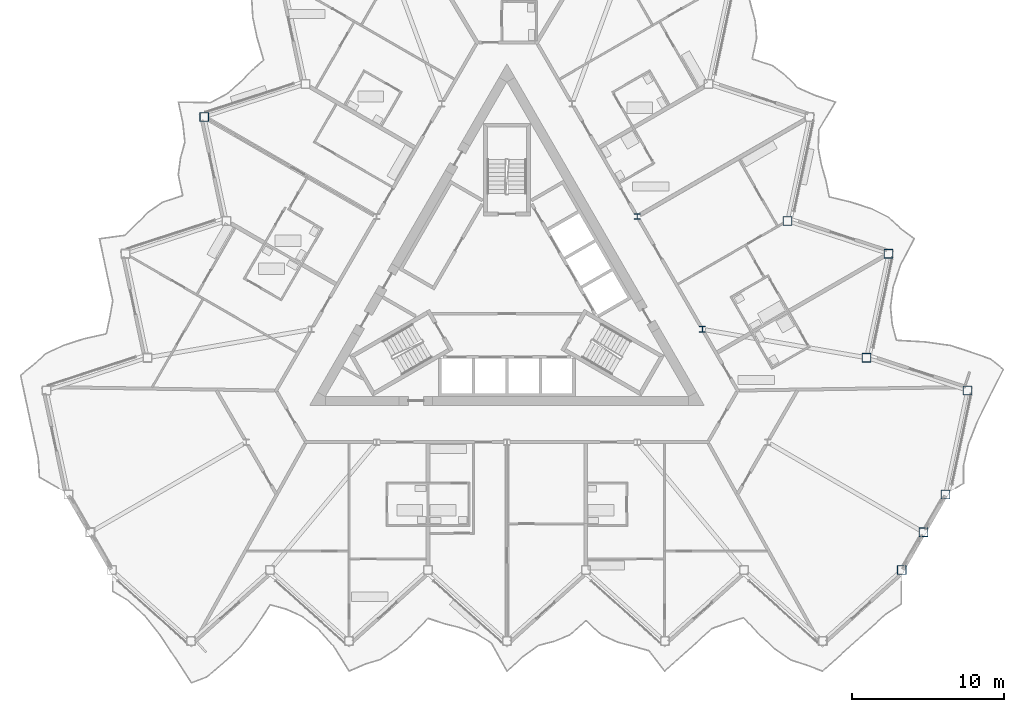
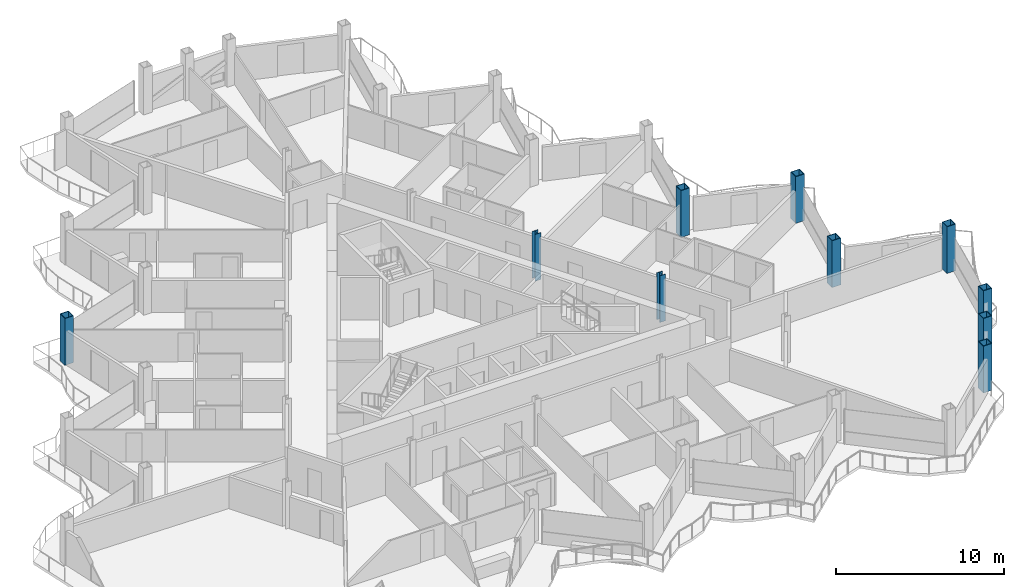
# One storey, part 2 of 26: 10 columns.
"""IFC4 building model written with IfcOpenShell, lengths in metres."""

from ifc_helpers import new_model, si_unit, direction, frame, origin, origin_2d, place, context, subcontext, project, spatial, hollow_rectangle, i_section, extrude, material, material_profile, profile_set, type_object, element, save


model = new_model("IFC4")

# Units and contexts
model_context = context("Model", 3, precision=1e-05, world=origin(), true_north=direction((0.0, 1.0)))
body_context = subcontext(model_context, "Body", "Model", "MODEL_VIEW")
ifc_project = project(units=[si_unit("LENGTHUNIT", "METRE"), si_unit("AREAUNIT", "SQUARE_METRE"), si_unit("VOLUMEUNIT", "CUBIC_METRE"), si_unit("PLANEANGLEUNIT", "RADIAN"), si_unit("MASSUNIT", "GRAM", prefix="KILO")], contexts=[model_context])

# Site, building, storey
site_placement = place(None, origin())
site = spatial("IfcSite", under=ifc_project, at=site_placement, CompositionType="ELEMENT")
building_placement = place(site_placement, origin())
building = spatial("IfcBuilding", under=site, at=building_placement, Name="Cormorant Prow Tower", CompositionType="ELEMENT")
storey_placement = place(building_placement, frame((0.0, 0.0, 322.199951171875)))
storey = spatial("IfcBuildingStorey", under=building, at=storey_placement, Name="L71", CompositionType="ELEMENT", Elevation=322.199951171875)

# Columns
ifc_material_1 = material(Name="Structural steel ASTM A572 Gr 50", Category="steel")
ifc_material_profile_1 = material_profile(ifc_material_1, hollow_rectangle(XDim=0.60009765625, YDim=0.60009765625, WallThickness=0.0400390625, at=origin_2d()), Name="Box 600x600x40")
ifc_profile_set_1 = profile_set([ifc_material_profile_1], Name="Structural steel ASTM A572 Gr 50")
column_type_1 = type_object("IfcColumnType", Name="Perimeter box column 600x600x40", PredefinedType="COLUMN", material=ifc_profile_set_1)
for number, where, z_axis, x_axis, name in (
    (1, (25.995361328125, -18.326904296875, 0.0), (0.0, 0.0, 1.0), (1.0, 0.0, 0.0), "Perimeter column C6 at ESE00 L71"),
    (2, (27.432373046875, -15.838134765625, 0.0), (0.0, 0.0, 1.0), (1.0, 0.0, 0.0), "Perimeter column C6 at ESE01 L71"),
    (3, (28.869140625, -13.349365234375, 0.0), (0.0, 0.0, 1.0), (1.0, 0.0, 0.0), "Perimeter column C6 at ENE00 L71"),
    (4, (30.32373046875, -6.506103515625, 0.0), (0.0, 0.0, 1.0), (1.0, 0.0, 0.0), "Perimeter column C6 at ENE01 L71"),
    (5, (23.670166015625, -4.34423828125, 0.0), (0.0, 0.0, 1.0), (1.0, 0.0, 0.0), "Perimeter column C6 at ENE02 L71"),
    (6, (25.124755859375, 2.4990234375, 0.0), (0.0, 0.0, 1.0), (1.0, 0.0, 0.0), "Perimeter column C6 at ENE03 L71"),
    (7, (18.470947265625, 4.660888671875, 0.0), (0.0, 0.0, 1.0), (1.0, 0.0, 0.0), "Perimeter column C6 at ENE04 L71"),
    (8, (-19.925537109375, 11.504150390625, 0.0), (0.0, 0.0, 1.0), (1.0, 0.0, 0.0), "Perimeter column C6 at WNW05 L71"),
):
    element("IfcColumn", number, at=place(storey_placement, frame(where, z_axis=z_axis, x_axis=x_axis)), inside=storey, type_object=column_type_1, Name=name, PredefinedType="COLUMN", context=body_context, shape_type="SweptSolid", body=[
        extrude(hollow_rectangle(XDim=0.60009765625, YDim=0.60009765625, WallThickness=0.0400390625, at=origin_2d()), origin(), (0.0, 0.0, 1.0), 3.400146484375),
    ])
ifc_material_2 = material(Name="Structural steel ASTM A992 Gr 50", Category="steel")
ifc_material_profile_2 = material_profile(ifc_material_2, i_section(OverallWidth=0.3955078125, OverallDepth=0.380615234375, WebThickness=0.018798828125, FlangeThickness=0.0302734375, at=origin_2d()), Name="W14x159")
ifc_profile_set_2 = profile_set([ifc_material_profile_2], Name="Structural steel ASTM A992 Gr 50")
column_type_2 = type_object("IfcColumnType", Name="Ring column W14x159", PredefinedType="COLUMN", material=ifc_profile_set_2)
for number, where, z_axis, x_axis, name in (
    (9, (12.86767578125, -2.476318359375, 0.0), (0.0, 0.0, 1.0), (1.0, 0.0, 0.0), "Ring column 10 L71"),
    (10, (8.578369140625, 4.952880859375, 0.0), (0.0, 0.0, 1.0), (1.0, 0.0, 0.0), "Ring column 11 L71"),
):
    element("IfcColumn", number, at=place(storey_placement, frame(where, z_axis=z_axis, x_axis=x_axis)), inside=storey, type_object=column_type_2, Name=name, PredefinedType="COLUMN", context=body_context, shape_type="SweptSolid", body=[
        extrude(i_section(OverallWidth=0.3955078125, OverallDepth=0.380615234375, WebThickness=0.018798828125, FlangeThickness=0.0302734375, at=origin_2d()), origin(), (0.0, 0.0, 1.0), 3.400146484375),
    ])

save(model, "model.ifc")
